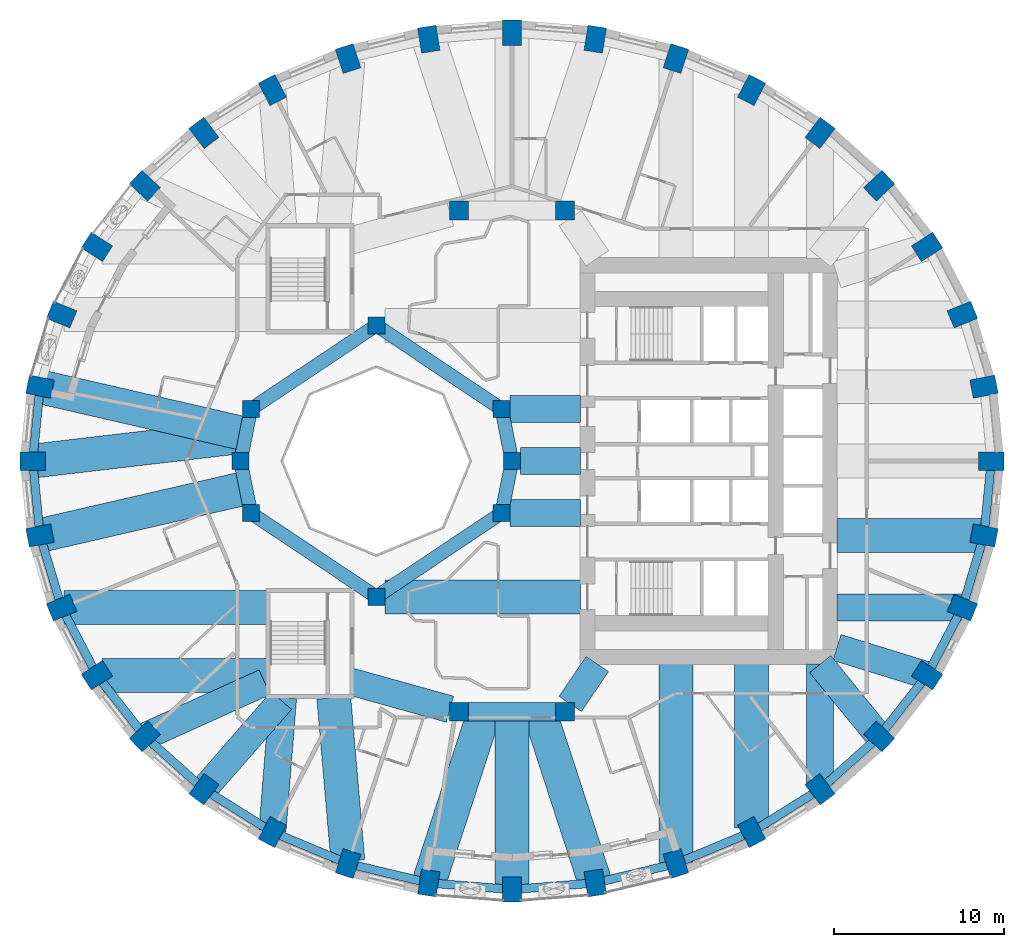
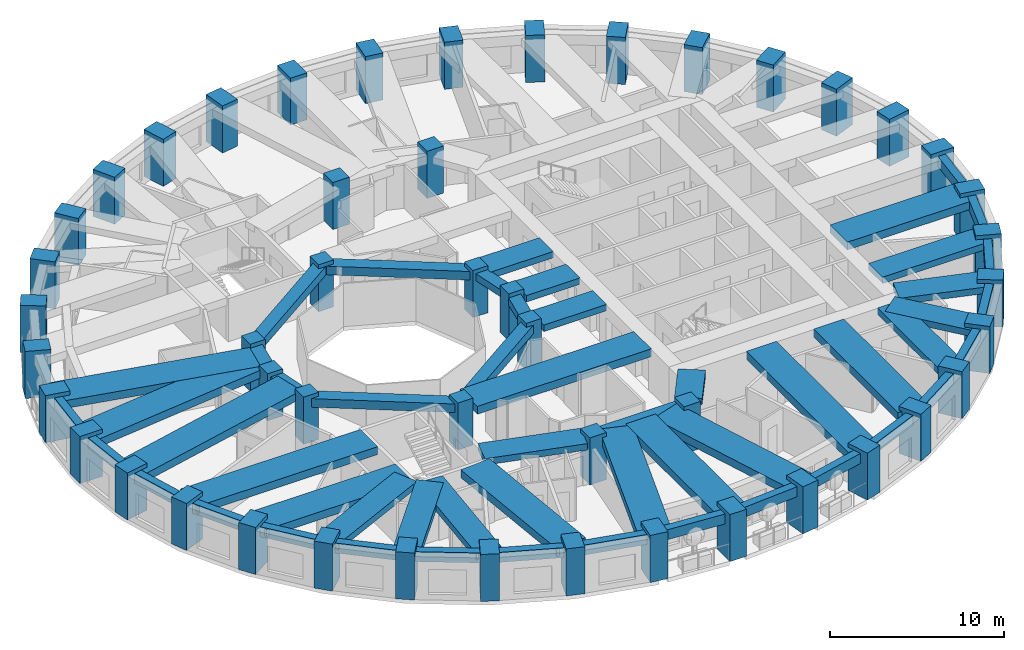
# One storey, part 1 of 13: 53 beams, 48 columns.
"""IFC4 building model written with IfcOpenShell, lengths in metres."""

import ifcopenshell
import ifcopenshell.guid

model = None  # the IFC model being written
_history = None  # IfcOwnerHistory: only IFC2X3 demands one
_inside = {}  # id of a spatial element -> (the spatial element, [elements in it])
_under = {}  # id of a project, library or spatial element -> (it, [spatial elements below it])
_declared = {}  # id of a project -> (the project, [libraries it declares])
_typed = {}  # id of a type object -> (the type object, [elements of that type])
_made_of = {}  # id of a material, layer set ... -> (it, [elements and type objects made of it])


def new_model(schema):
    """Start an empty IFC model of exactly this schema.

    Asked for "IFC4X3", IfcOpenShell would pick the latest addendum, in which some entities
    have other attributes; the version numbers below select the first issue.
    IFC2X3 requires an IfcOwnerHistory on every rooted entity: one is made here for all.
    """
    global model, _history
    if schema == "IFC4X3":
        model = ifcopenshell.file(schema_version=(4, 3, 0, 0))
    else:
        model = ifcopenshell.file(schema=schema)
    _inside.clear()
    _under.clear()
    _declared.clear()
    _typed.clear()
    _made_of.clear()
    _history = None
    if model.schema == "IFC2X3":
        org = make("IfcOrganization", Name="unknown")
        user = make(
            "IfcPersonAndOrganization",
            ThePerson=make("IfcPerson", FamilyName="unknown"),
            TheOrganization=org,
        )
        app = make(
            "IfcApplication",
            ApplicationDeveloper=org,
            Version="unknown",
            ApplicationFullName="unknown",
            ApplicationIdentifier="unknown",
        )
        _history = make(
            "IfcOwnerHistory",
            OwningUser=user,
            OwningApplication=app,
            ChangeAction="ADDED",
            CreationDate=0,
        )
    return model


def make(cls, **values):
    """One entity of the class cls with the attributes given. An attribute that is None is left unset."""
    return model.create_entity(
        cls, **{name: value for name, value in values.items() if value is not None}
    )


def rooted(cls, **values):
    """An entity with a GlobalId (a new one), such as an element, a storey or a relation."""
    return make(cls, GlobalId=ifcopenshell.guid.new(), OwnerHistory=_history, **values)


def si_unit(unit_type, name, prefix=None):
    """IfcSIUnit, for example si_unit("LENGTHUNIT", "METRE", prefix="MILLI")."""
    return make("IfcSIUnit", UnitType=unit_type, Prefix=prefix, Name=name)


def assignment(units):
    """IfcUnitAssignment: the units of a project."""
    return None if units is None else make("IfcUnitAssignment", Units=units)


def point(xyz):
    """IfcCartesianPoint."""
    return None if xyz is None else make("IfcCartesianPoint", Coordinates=xyz)


def direction(xyz):
    """IfcDirection."""
    return None if xyz is None else make("IfcDirection", DirectionRatios=xyz)


def frame(location, z_axis=None, x_axis=None):
    """IfcAxis2Placement3D, a coordinate frame: its origin and axes. An axis left out is left unset."""
    return make(
        "IfcAxis2Placement3D",
        Location=point(location),
        Axis=direction(z_axis),
        RefDirection=direction(x_axis),
    )


def frame_2d(location, x_axis=None):
    """IfcAxis2Placement2D, a coordinate frame in the plane: its origin and x axis."""
    return make(
        "IfcAxis2Placement2D", Location=point(location), RefDirection=direction(x_axis)
    )


def origin():
    """The frame at (0, 0, 0) with its axes left unset."""
    return frame((0.0, 0.0, 0.0))


def origin_2d():
    """The frame at (0, 0) in the plane with its x axis left unset."""
    return frame_2d((0.0, 0.0))


def place(relative_to, where):
    """IfcLocalPlacement: puts the frame where relative to a parent placement (None: the world)."""
    return make(
        "IfcLocalPlacement", PlacementRelTo=relative_to, RelativePlacement=where
    )


def context(
    kind, dimensions, precision=None, world=None, true_north=None, identifier=None
):
    """IfcGeometricRepresentationContext, for example the 3D "Model" context."""
    return make(
        "IfcGeometricRepresentationContext",
        ContextIdentifier=identifier,
        ContextType=kind,
        CoordinateSpaceDimension=dimensions,
        Precision=precision,
        WorldCoordinateSystem=world,
        TrueNorth=true_north,
    )


def subcontext(parent, identifier, kind, view, scale=None):
    """IfcGeometricRepresentationSubContext, for example "Body" below "Model"."""
    return make(
        "IfcGeometricRepresentationSubContext",
        ContextIdentifier=identifier,
        ContextType=kind,
        ParentContext=parent,
        TargetScale=scale,
        TargetView=view,
    )


def project(units=None, contexts=None):
    """IfcProject with its units and contexts."""
    return rooted(
        "IfcProject",
        Name="project",
        RepresentationContexts=contexts,
        UnitsInContext=assignment(units),
    )


def spatial(cls, under=None, at=None, **own):
    """A site, building, storey or space (cls), placed at a placement, below another one or the project."""
    s = rooted(cls, ObjectPlacement=at, **own)
    if under is not None:
        _under.setdefault(under.id(), (under, []))[1].append(s)
    return s


def profile(cls, at=None, kind="AREA", **sizes):
    """A parametric profile (cls). Its sizes go by their IFC names, for example OverallWidth=200.0."""
    return make(cls, ProfileType=kind, Position=at, **sizes)


def rectangle(**sizes):
    """IfcRectangleProfileDef."""
    return profile("IfcRectangleProfileDef", **sizes)


def extrude(swept, where, along, depth):
    """IfcExtrudedAreaSolid: the profile swept, set in the frame where, extruded along a direction by depth."""
    return make(
        "IfcExtrudedAreaSolid",
        SweptArea=swept,
        Position=where,
        ExtrudedDirection=direction(along),
        Depth=depth,
    )


def shape(context_of_items, identifier, shape_type, items):
    """IfcShapeRepresentation: the items that make up one representation, for example the "Body"."""
    return make(
        "IfcShapeRepresentation",
        ContextOfItems=context_of_items,
        RepresentationIdentifier=identifier,
        RepresentationType=shape_type,
        Items=items,
    )


def material(Name=None, Category=None):
    """IfcMaterial."""
    return make("IfcMaterial", Name=Name, Category=Category)


def material_profile(
    of_material, cross_section, Name=None, Category=None, Priority=None
):
    """IfcMaterialProfile: a cross section and its material."""
    return make(
        "IfcMaterialProfile",
        Name=Name,
        Material=of_material,
        Profile=cross_section,
        Priority=Priority,
        Category=Category,
    )


def profile_set(profiles, Name=None, composite=None):
    """IfcMaterialProfileSet."""
    return make(
        "IfcMaterialProfileSet",
        Name=Name,
        MaterialProfiles=profiles,
        CompositeProfile=composite,
    )


def made_of(thing, what):
    """Note that an element or type object is made of a material, layer set ...; save() writes the relation."""
    if what is not None:
        _made_of.setdefault(what.id(), (what, []))[1].append(thing)
    return thing


def type_object(cls, material=None, **own):
    """A type object (cls), such as IfcWallType, which elements share."""
    return made_of(rooted(cls, **own), material)


def element(
    cls,
    number,
    at=None,
    inside=None,
    cuts=None,
    type_object=None,
    material=None,
    context=None,
    identifier="Body",
    shape_type=None,
    held_by="IfcProductDefinitionShape",
    body=None,
    shapes=None,
    **own,
):
    """One element of the class cls, such as IfcWall. Its Tag is "e" and its number.

    at: its placement. inside: the storey or other place that contains it. cuts: it is an
    opening in that element (IfcRelVoidsElement). A single representation is given by context,
    identifier, shape_type and body (its items); several are given by shapes. held_by: the class
    of the entity that holds the representations. save() writes the other relations.
    """
    e = rooted(cls, Tag="e%d" % number, ObjectPlacement=at, **own)
    if body is not None:
        shapes = [shape(context, identifier, shape_type, body)]
    if shapes is not None:
        e.Representation = make(held_by, Representations=shapes)
    if inside is not None:
        _inside.setdefault(inside.id(), (inside, []))[1].append(e)
    if cuts is not None:
        rooted(
            "IfcRelVoidsElement", RelatingBuildingElement=cuts, RelatedOpeningElement=e
        )
    if type_object is not None:
        _typed.setdefault(type_object.id(), (type_object, []))[1].append(e)
    return made_of(e, material)


def aggregate(whole, parts):
    """IfcRelAggregates: a whole, such as a stair, and the parts it consists of."""
    return rooted("IfcRelAggregates", RelatingObject=whole, RelatedObjects=parts)


def save(model, path):
    """Write the relations noted so far, then the file.

    IfcRelAggregates (storeys below a building ...), IfcRelContainedInSpatialStructure (elements
    in a storey), IfcRelDefinesByType, IfcRelAssociatesMaterial and IfcRelDeclares: one each for
    every whole, place, type object, material and project.
    """
    for whole, parts in _under.values():
        aggregate(whole, parts)
    for where, things in _inside.values():
        rooted(
            "IfcRelContainedInSpatialStructure",
            RelatedElements=things,
            RelatingStructure=where,
        )
    for kind, things in _typed.values():
        rooted("IfcRelDefinesByType", RelatedObjects=things, RelatingType=kind)
    for what, things in _made_of.values():
        rooted("IfcRelAssociatesMaterial", RelatedObjects=things, RelatingMaterial=what)
    for by, libraries in _declared.values():
        rooted("IfcRelDeclares", RelatingContext=by, RelatedDefinitions=libraries)
    model.write(path)


model = new_model("IFC4")

# Units and contexts
model_context = context("Model", 3, precision=1e-05, world=origin(), true_north=direction((0.0, 1.0)))
body_context = subcontext(model_context, "Body", "Model", "MODEL_VIEW")
ifc_project = project(units=[si_unit("LENGTHUNIT", "METRE"), si_unit("AREAUNIT", "SQUARE_METRE"), si_unit("VOLUMEUNIT", "CUBIC_METRE"), si_unit("PLANEANGLEUNIT", "RADIAN"), si_unit("MASSUNIT", "GRAM", prefix="KILO")], contexts=[model_context])

# Site, building, storey
site_placement = place(None, origin())
site = spatial("IfcSite", under=ifc_project, at=site_placement, CompositionType="ELEMENT")
building_placement = place(site_placement, origin())
building = spatial("IfcBuilding", under=site, at=building_placement, Name="Taillehof Tower", CompositionType="ELEMENT")
storey_placement = place(building_placement, frame((0.0, 0.0, 71.199951171875)))
storey = spatial("IfcBuildingStorey", under=building, at=storey_placement, Name="L19", CompositionType="ELEMENT", Elevation=71.199951171875)

# Columns
ifc_material_1 = material(Name="Concrete C50/60", Category="concrete")
ifc_material_profile_1 = material_profile(ifc_material_1, rectangle(XDim=1.0, YDim=1.0, at=origin_2d()), Name="RC 1000x1000")
ifc_profile_set_1 = profile_set([ifc_material_profile_1], Name="Concrete C50/60")
column_type_1 = type_object("IfcColumnType", Name="Atrium ring column C50/60 1000x1000", PredefinedType="COLUMN", material=ifc_profile_set_1)
for number, where, z_axis, x_axis, name in (
    (1, (0.0, 0.0, 0.0), (0.0, 0.0, 1.0), (1.0, 0.0, 0.0), "Column AC01"),
    (2, (-0.60888671875, 3.0615234375, 0.0), (0.0, 0.0, 1.0), (1.0, 0.0, 0.0), "Column AC02"),
    (3, (-8.0, 8.0, 0.0), (0.0, 0.0, 1.0), (1.0, 0.0, 0.0), "Column AC05"),
    (4, (-15.39111328125, 3.0615234375, 0.0), (0.0, 0.0, 1.0), (1.0, 0.0, 0.0), "Column AC08"),
    (5, (-16.0, 0.0, 0.0), (0.0, 0.0, 1.0), (1.0, 0.0, 0.0), "Column AC09"),
    (6, (-15.39111328125, -3.0615234375, 0.0), (0.0, 0.0, 1.0), (1.0, 0.0, 0.0), "Column AC10"),
    (7, (-8.0, -8.0, 0.0), (0.0, 0.0, 1.0), (1.0, 0.0, 0.0), "Column AC13"),
    (8, (-0.60888671875, -3.0615234375, 0.0), (0.0, 0.0, 1.0), (1.0, 0.0, 0.0), "Column AC16"),
):
    element("IfcColumn", number, at=place(storey_placement, frame(where, z_axis=z_axis, x_axis=x_axis)), inside=storey, type_object=column_type_1, Name=name, PredefinedType="COLUMN", context=body_context, shape_type="SweptSolid", body=[
        extrude(rectangle(XDim=1.0, YDim=1.0, at=origin_2d()), origin(), (0.0, 0.0, 1.0), 3.300048828125),
    ])
ifc_material_2 = material(Name="Concrete C50/60", Category="concrete")
ifc_material_profile_2 = material_profile(ifc_material_2, rectangle(XDim=1.10009765625, YDim=1.10009765625, at=origin_2d()), Name="RC 1100x1100")
ifc_profile_set_2 = profile_set([ifc_material_profile_2], Name="Concrete C50/60")
column_type_2 = type_object("IfcColumnType", Name="Mid-ring column C50/60 1100x1100", PredefinedType="COLUMN", material=ifc_profile_set_2)
for number, where, z_axis, x_axis, name in (
    (9, (3.125732421875, 14.772216796875, 0.0), (0.0, 0.0, 1.0), (1.0, 0.0, 0.0), "Column MC05"),
    (10, (3.125732421875, -14.772216796875, 0.0), (0.0, 0.0, 1.0), (1.0, 0.0, 0.0), "Column MC15"),
):
    element("IfcColumn", number, at=place(storey_placement, frame(where, z_axis=z_axis, x_axis=x_axis)), inside=storey, type_object=column_type_2, Name=name, PredefinedType="COLUMN", context=body_context, shape_type="SweptSolid", body=[
        extrude(rectangle(XDim=1.10009765625, YDim=1.10009765625, at=origin_2d()), origin(), (0.0, 0.0, 1.0), 3.300048828125),
    ])
ifc_material_3 = material(Name="Concrete C60/75", Category="concrete")
ifc_material_profile_3 = material_profile(ifc_material_3, rectangle(XDim=1.10009765625, YDim=1.10009765625, at=origin_2d()), Name="RC 1100x1100")
ifc_profile_set_3 = profile_set([ifc_material_profile_3], Name="Concrete C60/75")
column_type_3 = type_object("IfcColumnType", Name="Mid-ring column C60/75 1100x1100", PredefinedType="COLUMN", material=ifc_profile_set_3)
for number, where, z_axis, x_axis, name in (
    (11, (-3.125732421875, 14.772216796875, 0.0), (0.0, 0.0, 1.0), (1.0, 0.0, 0.0), "Column MC06"),
    (12, (-3.125732421875, -14.772216796875, 0.0), (0.0, 0.0, 1.0), (1.0, 0.0, 0.0), "Column MC14"),
):
    element("IfcColumn", number, at=place(storey_placement, frame(where, z_axis=z_axis, x_axis=x_axis)), inside=storey, type_object=column_type_3, Name=name, PredefinedType="COLUMN", context=body_context, shape_type="SweptSolid", body=[
        extrude(rectangle(XDim=1.10009765625, YDim=1.10009765625, at=origin_2d()), origin(), (0.0, 0.0, 1.0), 3.300048828125),
    ])
ifc_material_4 = material(Name="Concrete C70/85", Category="concrete")
ifc_material_profile_4 = material_profile(ifc_material_4, rectangle(XDim=1.5, YDim=1.10009765625, at=origin_2d()), Name="RC 1500x1100")
ifc_profile_set_4 = profile_set([ifc_material_profile_4], Name="Concrete C70/85")
column_type_4 = type_object("IfcColumnType", Name="Ring column C70/85 1500x1100", PredefinedType="COLUMN", material=ifc_profile_set_4)
for number, where, z_axis, x_axis, name in (
    (13, (28.25, 0.0, 0.0), (0.0, 0.0, 1.0), (1.0, 0.0, 0.0), "Ring column RC01"),
    (14, (27.82080078125, 4.384521484375, 0.0), (0.0, 0.0, 1.0), (0.98120354895, 0.192975634545, 0.0), "Ring column RC02"),
    (15, (26.54638671875, 8.635986328125, 0.0), (0.0, 0.0, 1.0), (0.926558045297, 0.37615181602, 0.0), "Ring column RC03"),
    (16, (24.46533203125, 12.625, 0.0), (0.0, 0.0, 1.0), (0.840753565229, 0.541417992456, 0.0), "Ring column RC04"),
    (17, (21.640869140625, 16.23046875, 0.0), (0.0, 0.0, 1.0), (0.730113022917, 0.683326403535, 0.0), "Ring column RC05"),
    (18, (18.15869140625, 19.342529296875, 0.0), (0.0, 0.0, 1.0), (0.601173783055, 0.79911831575, 0.0), "Ring column RC06"),
    (19, (14.125, 21.8671875, 0.0), (0.0, 0.0, 1.0), (0.459691308511, 0.888078769524, 0.0), "Ring column RC07"),
    (20, (9.662109375, 23.727294921875, 0.0), (0.0, 0.0, 1.0), (0.310219183529, 0.950665060981, 0.0), "Ring column RC08"),
    (21, (4.905517578125, 24.866455078125, 0.0), (0.0, 0.0, 1.0), (0.15614709407, 0.987733812833, 0.0), "Ring column RC09"),
    (22, (0.0, 25.25, 0.0), (0.0, 0.0, 1.0), (0.0, 1.0, 0.0), "Ring column RC10"),
    (23, (-4.905517578125, 24.866455078125, 0.0), (0.0, 0.0, 1.0), (-0.15614709407, 0.987733812833, 0.0), "Ring column RC11"),
    (24, (-9.662109375, 23.727294921875, 0.0), (0.0, 0.0, 1.0), (-0.310219183529, 0.950665060981, 0.0), "Ring column RC12"),
    (25, (-14.125, 21.8671875, 0.0), (0.0, 0.0, 1.0), (-0.459691308511, 0.888078769524, 0.0), "Ring column RC13"),
    (26, (-18.15869140625, 19.342529296875, 0.0), (0.0, 0.0, 1.0), (-0.601173783055, 0.79911831575, 0.0), "Ring column RC14"),
    (27, (-21.640869140625, 16.23046875, 0.0), (0.0, 0.0, 1.0), (-0.730113022917, 0.683326403535, 0.0), "Ring column RC15"),
    (28, (-24.46533203125, 12.625, 0.0), (0.0, 0.0, 1.0), (-0.840753565229, 0.541417992456, 0.0), "Ring column RC16"),
    (29, (-26.54638671875, 8.635986328125, 0.0), (0.0, 0.0, 1.0), (-0.926558045297, 0.37615181602, 0.0), "Ring column RC17"),
    (30, (-27.82080078125, 4.384521484375, 0.0), (0.0, 0.0, 1.0), (-0.98120354895, 0.192975634545, 0.0), "Ring column RC18"),
    (31, (-28.25, 0.0, 0.0), (0.0, 0.0, 1.0), (-1.0, 0.0, 0.0), "Ring column RC19"),
    (32, (-27.82080078125, -4.384521484375, 0.0), (0.0, 0.0, 1.0), (-0.98120354895, -0.192975634545, 0.0), "Ring column RC20"),
    (33, (-26.54638671875, -8.635986328125, 0.0), (0.0, 0.0, 1.0), (-0.926558045297, -0.37615181602, 0.0), "Ring column RC21"),
    (34, (-24.46533203125, -12.625, 0.0), (0.0, 0.0, 1.0), (-0.840753565229, -0.541417992456, 0.0), "Ring column RC22"),
    (35, (-21.640869140625, -16.23046875, 0.0), (0.0, 0.0, 1.0), (-0.730113022917, -0.683326403535, 0.0), "Ring column RC23"),
    (36, (-18.15869140625, -19.342529296875, 0.0), (0.0, 0.0, 1.0), (-0.601173783055, -0.79911831575, 0.0), "Ring column RC24"),
    (37, (-14.125, -21.8671875, 0.0), (0.0, 0.0, 1.0), (-0.459691308511, -0.888078769524, 0.0), "Ring column RC25"),
    (38, (-9.662109375, -23.727294921875, 0.0), (0.0, 0.0, 1.0), (-0.310219183529, -0.950665060981, 0.0), "Ring column RC26"),
    (39, (-4.905517578125, -24.866455078125, 0.0), (0.0, 0.0, 1.0), (-0.15614709407, -0.987733812833, 0.0), "Ring column RC27"),
    (40, (0.0, -25.25, 0.0), (0.0, 0.0, 1.0), (0.0, -1.0, 0.0), "Ring column RC28"),
    (41, (4.905517578125, -24.866455078125, 0.0), (0.0, 0.0, 1.0), (0.15614709407, -0.987733812833, 0.0), "Ring column RC29"),
    (42, (9.662109375, -23.727294921875, 0.0), (0.0, 0.0, 1.0), (0.310219183529, -0.950665060981, 0.0), "Ring column RC30"),
    (43, (14.125, -21.8671875, 0.0), (0.0, 0.0, 1.0), (0.459691308511, -0.888078769524, 0.0), "Ring column RC31"),
    (44, (18.15869140625, -19.342529296875, 0.0), (0.0, 0.0, 1.0), (0.601173783055, -0.79911831575, 0.0), "Ring column RC32"),
    (45, (21.640869140625, -16.23046875, 0.0), (0.0, 0.0, 1.0), (0.730113022917, -0.683326403535, 0.0), "Ring column RC33"),
    (46, (24.46533203125, -12.625, 0.0), (0.0, 0.0, 1.0), (0.840753565229, -0.541417992456, 0.0), "Ring column RC34"),
    (47, (26.54638671875, -8.635986328125, 0.0), (0.0, 0.0, 1.0), (0.926558045297, -0.37615181602, 0.0), "Ring column RC35"),
    (48, (27.82080078125, -4.384521484375, 0.0), (0.0, 0.0, 1.0), (0.98120354895, -0.192975634545, 0.0), "Ring column RC36"),
):
    element("IfcColumn", number, at=place(storey_placement, frame(where, z_axis=z_axis, x_axis=x_axis)), inside=storey, type_object=column_type_4, Name=name, PredefinedType="COLUMN", context=body_context, shape_type="SweptSolid", body=[
        extrude(rectangle(XDim=1.5, YDim=1.10009765625, at=origin_2d()), origin(), (0.0, 0.0, 1.0), 3.300048828125),
    ])

# Beams
ifc_material_5 = material(Name="Concrete C50/60", Category="concrete")
ifc_material_profile_5 = material_profile(ifc_material_5, rectangle(XDim=0.800048828125, YDim=0.5, at=origin_2d()), Name="RC 800x500")
ifc_profile_set_5 = profile_set([ifc_material_profile_5], Name="Concrete C50/60")
beam_type_1 = type_object("IfcBeamType", Name="Atrium ring beam C50/60 800x500", PredefinedType="BEAM", material=ifc_profile_set_5)
for number, where, z_axis, x_axis, name in (
    (49, (0.0, 0.0, 2.77001953125), (-0.195063155143, 0.980790683839, 0.0), (-0.980790683839, -0.195063155143, 0.0), "Atrium ring beam AB01"),
    (50, (-15.39111328125, 3.0615234375, 2.77001953125), (-0.195063155143, -0.980790683839, 0.0), (0.980790683839, -0.195063155143, 0.0), "Atrium ring beam AB04"),
    (51, (-16.0, 0.0, 2.77001953125), (0.195063155143, -0.980790683839, 0.0), (0.980790683839, 0.195063155143, 0.0), "Atrium ring beam AB05"),
    (52, (-0.60888671875, -3.0615234375, 2.77001953125), (0.195063155143, 0.980790683839, 0.0), (-0.980790683839, 0.195063155143, 0.0), "Atrium ring beam AB08"),
):
    element("IfcBeam", number, at=place(storey_placement, frame(where, z_axis=z_axis, x_axis=x_axis)), inside=storey, type_object=beam_type_1, Name=name, PredefinedType="BEAM", context=body_context, shape_type="SweptSolid", body=[
        extrude(rectangle(XDim=0.800048828125, YDim=0.5, at=origin_2d()), origin(), (0.0, 0.0, 1.0), 3.12158203125),
    ])
ifc_material_6 = material(Name="Concrete C50/60", Category="concrete")
ifc_material_profile_6 = material_profile(ifc_material_6, rectangle(XDim=0.800048828125, YDim=0.60009765625, at=origin_2d()), Name="RC 800x600")
ifc_profile_set_6 = profile_set([ifc_material_profile_6], Name="Concrete C50/60")
beam_type_2 = type_object("IfcBeamType", Name="Atrium ring beam C50/60 800x600", PredefinedType="BEAM", material=ifc_profile_set_6)
for number, where, z_axis, x_axis, name in (
    (53, (-0.60888671875, 3.0615234375, 2.719970703125), (-0.831475195687, 0.555561876804, 0.0), (-0.555561876804, -0.831475195687, 0.0), "Atrium ring beam AB02"),
    (54, (-8.0, 8.0, 2.719970703125), (-0.831475195687, -0.555561876804, 0.0), (0.555561876804, -0.831475195687, 0.0), "Atrium ring beam AB03"),
    (55, (-15.39111328125, -3.0615234375, 2.719970703125), (0.831475195687, -0.555561876804, 0.0), (0.555561876804, 0.831475195687, 0.0), "Atrium ring beam AB06"),
    (56, (-8.0, -8.0, 2.719970703125), (0.831475195687, 0.555561876804, 0.0), (-0.555561876804, 0.831475195687, 0.0), "Atrium ring beam AB07"),
):
    element("IfcBeam", number, at=place(storey_placement, frame(where, z_axis=z_axis, x_axis=x_axis)), inside=storey, type_object=beam_type_2, Name=name, PredefinedType="BEAM", context=body_context, shape_type="SweptSolid", body=[
        extrude(rectangle(XDim=0.800048828125, YDim=0.60009765625, at=origin_2d()), origin(), (0.0, 0.0, 1.0), 8.88916015625),
    ])
ifc_material_7 = material(Name="Concrete C50/60", Category="concrete")
ifc_material_profile_7 = material_profile(ifc_material_7, rectangle(XDim=1.10009765625, YDim=0.60009765625, at=origin_2d()), Name="RC 1100x600")
ifc_profile_set_7 = profile_set([ifc_material_profile_7], Name="Concrete C50/60")
beam_type_3 = type_object("IfcBeamType", Name="Mid-ring beam C50/60 1100x600", PredefinedType="BEAM", material=ifc_profile_set_7)
beam_1_placement = place(storey_placement, frame((-3.125732421875, -14.772216796875, 2.719970703125), z_axis=(1.0, 0.0, 0.0), x_axis=(0.0, 1.0, 0.0)))
element("IfcBeam", 57, at=beam_1_placement, inside=storey, type_object=beam_type_3, Name="Mid-ring beam MB02", PredefinedType="BEAM", context=body_context, shape_type="SweptSolid", body=[
    extrude(rectangle(XDim=1.10009765625, YDim=0.60009765625, at=origin_2d()), origin(), (0.0, 0.0, 1.0), 6.25146484375),
])
ifc_material_8 = material(Name="Concrete C50/60", Category="concrete")
ifc_material_profile_8 = material_profile(ifc_material_8, rectangle(XDim=1.60009765625, YDim=0.449951171875, at=origin_2d()), Name="RC 1600x450")
ifc_profile_set_8 = profile_set([ifc_material_profile_8], Name="Concrete C50/60")
beam_type_4 = type_object("IfcBeamType", Name="Radial band beam C50/60 1600x450", PredefinedType="BEAM", material=ifc_profile_set_8)
beam_2_placement = place(storey_placement, frame((-21.632568359375, -16.226806640625, 2.795166015625), z_axis=(0.911100590789, 0.412184077161, 0.0), x_axis=(-0.412184077161, 0.911100590789, 0.0)))
element("IfcBeam", 58, at=beam_2_placement, inside=storey, type_object=beam_type_4, Name="Radial band beam RB23", PredefinedType="BEAM", context=body_context, shape_type="SweptSolid", body=[
    extrude(rectangle(XDim=1.60009765625, YDim=0.449951171875, at=origin_2d()), origin(), (0.0, 0.0, 1.0), 7.740966796875),
])
beam_3_placement = place(storey_placement, frame((-18.15869140625, -19.342529296875, 2.795166015625), z_axis=(0.65721824087, 0.753700327628, 0.0), x_axis=(-0.753700327628, 0.65721824087, 0.0)))
element("IfcBeam", 59, at=beam_3_placement, inside=storey, type_object=beam_type_4, Name="Radial band beam RB24", PredefinedType="BEAM", context=body_context, shape_type="SweptSolid", body=[
    extrude(rectangle(XDim=1.60009765625, YDim=0.449951171875, at=origin_2d()), origin(), (0.0, 0.0, 1.0), 6.9384765625),
])
beam_4_placement = place(storey_placement, frame((-14.119873046875, -21.802978515625, 2.795166015625), z_axis=(0.079184740988, 0.996859958467, 0.0), x_axis=(-0.996859958467, 0.079184740988, 0.0)))
element("IfcBeam", 60, at=beam_4_placement, inside=storey, type_object=beam_type_4, Name="Radial band beam RB25", PredefinedType="BEAM", context=body_context, shape_type="SweptSolid", body=[
    extrude(rectangle(XDim=1.60009765625, YDim=0.449951171875, at=origin_2d()), origin(), (0.0, 0.0, 1.0), 7.87744140625),
])
beam_5_placement = place(storey_placement, frame((18.15869140625, -19.05517578125, 2.795166015625), z_axis=(0.0, 1.0, 0.0), x_axis=(-1.0, 0.0, 0.0)))
element("IfcBeam", 61, at=beam_5_placement, inside=storey, type_object=beam_type_4, Name="Radial band beam RB32", PredefinedType="BEAM", context=body_context, shape_type="SweptSolid", body=[
    extrude(rectangle(XDim=1.60009765625, YDim=0.449951171875, at=origin_2d()), origin(), (0.0, 0.0, 1.0), 7.105224609375),
])
beam_6_placement = place(storey_placement, frame((21.640869140625, -16.23046875, 2.795166015625), z_axis=(-0.630988373846, 0.775792286679, 0.0), x_axis=(-0.775792286679, -0.630988373846, 0.0)))
element("IfcBeam", 62, at=beam_6_placement, inside=storey, type_object=beam_type_4, Name="Radial band beam RB33", PredefinedType="BEAM", context=body_context, shape_type="SweptSolid", body=[
    extrude(rectangle(XDim=1.60009765625, YDim=0.449951171875, at=origin_2d()), origin(), (0.0, 0.0, 1.0), 5.503173828125),
])
beam_7_placement = place(storey_placement, frame((24.46533203125, -12.625, 2.795166015625), z_axis=(-0.955535654338, 0.294875589511, 0.0), x_axis=(-0.294875589511, -0.955535654338, 0.0)))
element("IfcBeam", 63, at=beam_7_placement, inside=storey, type_object=beam_type_4, Name="Radial band beam RB34", PredefinedType="BEAM", context=body_context, shape_type="SweptSolid", body=[
    extrude(rectangle(XDim=1.60009765625, YDim=0.449951171875, at=origin_2d()), origin(), (0.0, 0.0, 1.0), 5.560546875),
])
beam_8_placement = place(storey_placement, frame((26.490478515625, -8.635986328125, 2.795166015625), z_axis=(-1.0, 0.0, 0.0), x_axis=(0.0, -1.0, 0.0)))
element("IfcBeam", 64, at=beam_8_placement, inside=storey, type_object=beam_type_4, Name="Radial band beam RB35", PredefinedType="BEAM", context=body_context, shape_type="SweptSolid", body=[
    extrude(rectangle(XDim=1.60009765625, YDim=0.449951171875, at=origin_2d()), origin(), (0.0, 0.0, 1.0), 7.340576171875),
])
beam_9_placement = place(storey_placement, frame((0.5, 0.0, 2.795166015625), z_axis=(1.0, 0.0, 0.0), x_axis=(0.0, 1.0, 0.0)))
element("IfcBeam", 65, at=beam_9_placement, inside=storey, type_object=beam_type_4, Name="Inner band beam IB101", PredefinedType="BEAM", context=body_context, shape_type="SweptSolid", body=[
    extrude(rectangle(XDim=1.60009765625, YDim=0.449951171875, at=origin_2d()), origin(), (0.0, 0.0, 1.0), 3.550048828125),
])
for number, where, z_axis, x_axis, name in (
    (66, (-0.10888671875, 3.0615234375, 2.795166015625), (1.0, 0.0, 0.0), (0.0, 1.0, 0.0), "Inner band beam IB102"),
    (67, (-0.10888671875, -3.0615234375, 2.795166015625), (1.0, 0.0, 0.0), (0.0, 1.0, 0.0), "Inner band beam IB116"),
):
    element("IfcBeam", number, at=place(storey_placement, frame(where, z_axis=z_axis, x_axis=x_axis)), inside=storey, type_object=beam_type_4, Name=name, PredefinedType="BEAM", context=body_context, shape_type="SweptSolid", body=[
        extrude(rectangle(XDim=1.60009765625, YDim=0.449951171875, at=origin_2d()), origin(), (0.0, 0.0, 1.0), 4.158935546875),
    ])
beam_10_placement = place(storey_placement, frame((-3.655517578125, -14.624755859375, 2.795166015625), z_axis=(-0.963459369536, 0.267854518821, 0.0), x_axis=(-0.267854518821, -0.963459369536, 0.0)))
element("IfcBeam", 68, at=beam_10_placement, inside=storey, type_object=beam_type_4, Name="Inner band beam IB214", PredefinedType="BEAM", context=body_context, shape_type="SweptSolid", body=[
    extrude(rectangle(XDim=1.60009765625, YDim=0.449951171875, at=origin_2d()), origin(), (0.0, 0.0, 1.0), 6.096923828125),
])
beam_11_placement = place(storey_placement, frame((3.433837890625, -14.31640625, 2.795166015625), z_axis=(0.560112043398, 0.828416862962, 0.0), x_axis=(-0.828416862962, 0.560112043398, 0.0)))
element("IfcBeam", 69, at=beam_11_placement, inside=storey, type_object=beam_type_4, Name="Inner band beam IB215", PredefinedType="BEAM", context=body_context, shape_type="SweptSolid", body=[
    extrude(rectangle(XDim=1.60009765625, YDim=0.449951171875, at=origin_2d()), origin(), (0.0, 0.0, 1.0), 2.84619140625),
])
ifc_material_9 = material(Name="Concrete C50/60", Category="concrete")
ifc_material_profile_9 = material_profile(ifc_material_9, rectangle(XDim=2.0, YDim=0.550048828125, at=origin_2d()), Name="RC 2000x550")
ifc_profile_set_9 = profile_set([ifc_material_profile_9], Name="Concrete C50/60")
beam_type_5 = type_object("IfcBeamType", Name="Radial band beam C50/60 2000x550", PredefinedType="BEAM", material=ifc_profile_set_9)
beam_12_placement = place(storey_placement, frame((-27.82080078125, 4.384521484375, 2.7451171875), z_axis=(0.974509005862, -0.2243483842, 0.0), x_axis=(0.2243483842, 0.974509005862, 0.0)))
element("IfcBeam", 70, at=beam_12_placement, inside=storey, type_object=beam_type_5, Name="Radial band beam RB18", PredefinedType="BEAM", context=body_context, shape_type="SweptSolid", body=[
    extrude(rectangle(XDim=2.0, YDim=0.550048828125, at=origin_2d()), origin(), (0.0, 0.0, 1.0), 12.45458984375),
])
beam_13_placement = place(storey_placement, frame((-28.25, 0.0, 2.7451171875), z_axis=(0.993191188018, 0.11649576835, 0.0), x_axis=(-0.11649576835, 0.993191188018, 0.0)))
element("IfcBeam", 71, at=beam_13_placement, inside=storey, type_object=beam_type_5, Name="Radial band beam RB19", PredefinedType="BEAM", context=body_context, shape_type="SweptSolid", body=[
    extrude(rectangle(XDim=2.0, YDim=0.550048828125, at=origin_2d()), origin(), (0.0, 0.0, 1.0), 12.628662109375),
])
beam_14_placement = place(storey_placement, frame((-27.82080078125, -4.384521484375, 2.7451171875), z_axis=(0.974509005862, 0.2243483842, 0.0), x_axis=(-0.2243483842, 0.974509005862, 0.0)))
element("IfcBeam", 72, at=beam_14_placement, inside=storey, type_object=beam_type_5, Name="Radial band beam RB20", PredefinedType="BEAM", context=body_context, shape_type="SweptSolid", body=[
    extrude(rectangle(XDim=2.0, YDim=0.550048828125, at=origin_2d()), origin(), (0.0, 0.0, 1.0), 12.45458984375),
])
beam_15_placement = place(storey_placement, frame((-26.408935546875, -8.635986328125, 2.7451171875), z_axis=(1.0, 0.0, 0.0), x_axis=(0.0, 1.0, 0.0)))
element("IfcBeam", 73, at=beam_15_placement, inside=storey, type_object=beam_type_5, Name="Radial band beam RB21", PredefinedType="BEAM", context=body_context, shape_type="SweptSolid", body=[
    extrude(rectangle(XDim=2.0, YDim=0.550048828125, at=origin_2d()), origin(), (0.0, 0.0, 1.0), 11.958984375),
])
beam_16_placement = place(storey_placement, frame((-24.172607421875, -12.625, 2.7451171875), z_axis=(1.0, 0.0, 0.0), x_axis=(0.0, 1.0, 0.0)))
element("IfcBeam", 74, at=beam_16_placement, inside=storey, type_object=beam_type_5, Name="Radial band beam RB22", PredefinedType="BEAM", context=body_context, shape_type="SweptSolid", body=[
    extrude(rectangle(XDim=2.0, YDim=0.550048828125, at=origin_2d()), origin(), (0.0, 0.0, 1.0), 9.72265625),
])
beam_17_placement = place(storey_placement, frame((-9.675048828125, -23.575927734375, 2.7451171875), z_axis=(-0.085841202752, 0.996308831593, 0.0), x_axis=(-0.996308831593, -0.085841202752, 0.0)))
element("IfcBeam", 75, at=beam_17_placement, inside=storey, type_object=beam_type_5, Name="Radial band beam RB26", PredefinedType="BEAM", context=body_context, shape_type="SweptSolid", body=[
    extrude(rectangle(XDim=2.0, YDim=0.550048828125, at=origin_2d()), origin(), (0.0, 0.0, 1.0), 9.661376953125),
])
beam_18_placement = place(storey_placement, frame((-4.905517578125, -24.866455078125, 2.7451171875), z_axis=(0.309014294595, 0.951057393503, 0.0), x_axis=(-0.951057393503, 0.309014294595, 0.0)))
element("IfcBeam", 76, at=beam_18_placement, inside=storey, type_object=beam_type_5, Name="Radial band beam RB27", PredefinedType="BEAM", context=body_context, shape_type="SweptSolid", body=[
    extrude(rectangle(XDim=2.0, YDim=0.550048828125, at=origin_2d()), origin(), (0.0, 0.0, 1.0), 10.61376953125),
])
beam_19_placement = place(storey_placement, frame((0.0, -25.25, 2.7451171875), z_axis=(0.0, 1.0, 0.0), x_axis=(-1.0, 0.0, 0.0)))
element("IfcBeam", 77, at=beam_19_placement, inside=storey, type_object=beam_type_5, Name="Radial band beam RB28", PredefinedType="BEAM", context=body_context, shape_type="SweptSolid", body=[
    extrude(rectangle(XDim=2.0, YDim=0.550048828125, at=origin_2d()), origin(), (0.0, 0.0, 1.0), 10.477783203125),
])
beam_20_placement = place(storey_placement, frame((4.905517578125, -24.866455078125, 2.7451171875), z_axis=(-0.309014294595, 0.951057393503, 0.0), x_axis=(-0.951057393503, -0.309014294595, 0.0)))
element("IfcBeam", 78, at=beam_20_placement, inside=storey, type_object=beam_type_5, Name="Radial band beam RB29", PredefinedType="BEAM", context=body_context, shape_type="SweptSolid", body=[
    extrude(rectangle(XDim=2.0, YDim=0.550048828125, at=origin_2d()), origin(), (0.0, 0.0, 1.0), 10.61376953125),
])
beam_21_placement = place(storey_placement, frame((9.662109375, -23.664794921875, 2.7451171875), z_axis=(0.0, 1.0, 0.0), x_axis=(-1.0, 0.0, 0.0)))
element("IfcBeam", 79, at=beam_21_placement, inside=storey, type_object=beam_type_5, Name="Radial band beam RB30", PredefinedType="BEAM", context=body_context, shape_type="SweptSolid", body=[
    extrude(rectangle(XDim=2.0, YDim=0.550048828125, at=origin_2d()), origin(), (0.0, 0.0, 1.0), 11.71484375),
])
beam_22_placement = place(storey_placement, frame((14.125, -21.63232421875, 2.7451171875), z_axis=(0.0, 1.0, 0.0), x_axis=(-1.0, 0.0, 0.0)))
element("IfcBeam", 80, at=beam_22_placement, inside=storey, type_object=beam_type_5, Name="Radial band beam RB31", PredefinedType="BEAM", context=body_context, shape_type="SweptSolid", body=[
    extrude(rectangle(XDim=2.0, YDim=0.550048828125, at=origin_2d()), origin(), (0.0, 0.0, 1.0), 9.682373046875),
])
beam_23_placement = place(storey_placement, frame((27.82080078125, -4.384521484375, 2.7451171875), z_axis=(-1.0, 0.0, 0.0), x_axis=(0.0, -1.0, 0.0)))
element("IfcBeam", 81, at=beam_23_placement, inside=storey, type_object=beam_type_5, Name="Radial band beam RB36", PredefinedType="BEAM", context=body_context, shape_type="SweptSolid", body=[
    extrude(rectangle(XDim=2.0, YDim=0.550048828125, at=origin_2d()), origin(), (0.0, 0.0, 1.0), 8.6708984375),
])
beam_24_placement = place(storey_placement, frame((-7.5, -8.0, 2.7451171875), z_axis=(1.0, 0.0, 0.0), x_axis=(0.0, 1.0, 0.0)))
element("IfcBeam", 82, at=beam_24_placement, inside=storey, type_object=beam_type_5, Name="Inner band beam IB113", PredefinedType="BEAM", context=body_context, shape_type="SweptSolid", body=[
    extrude(rectangle(XDim=2.0, YDim=0.550048828125, at=origin_2d()), origin(), (0.0, 0.0, 1.0), 11.550048828125),
])
ifc_material_10 = material(Name="Concrete C50/60", Category="concrete")
ifc_material_profile_10 = material_profile(ifc_material_10, rectangle(XDim=0.5, YDim=0.699951171875, at=origin_2d()), Name="RC 500x700")
ifc_profile_set_10 = profile_set([ifc_material_profile_10], Name="Concrete C50/60")
beam_type_6 = type_object("IfcBeamType", Name="Spandrel beam C50/60 500x700", PredefinedType="SPANDREL", material=ifc_profile_set_10)
for number, where, z_axis, x_axis, name in (
    (83, (-27.82080078125, 4.384521484375, 2.670166015625), (-0.097423973567, -0.99524297002, 0.0), (0.99524297002, -0.097423973567, 0.0), "Spandrel beam SB18"),
    (84, (-28.25, 0.0, 2.670166015625), (0.097423973567, -0.99524297002, 0.0), (0.99524297002, 0.097423973567, 0.0), "Spandrel beam SB19"),
):
    element("IfcBeam", number, at=place(storey_placement, frame(where, z_axis=z_axis, x_axis=x_axis)), inside=storey, type_object=beam_type_6, Name=name, PredefinedType="SPANDREL", context=body_context, shape_type="SweptSolid", body=[
        extrude(rectangle(XDim=0.5, YDim=0.699951171875, at=origin_2d()), origin(), (0.0, 0.0, 1.0), 4.405517578125),
    ])
beam_25_placement = place(storey_placement, frame((-27.82080078125, -4.384521484375, 2.670166015625), z_axis=(0.287135925407, -0.957889847707, 0.0), x_axis=(0.957889847707, 0.287135925407, 0.0)))
element("IfcBeam", 85, at=beam_25_placement, inside=storey, type_object=beam_type_6, Name="Spandrel beam SB20", PredefinedType="SPANDREL", context=body_context, shape_type="SweptSolid", body=[
    extrude(rectangle(XDim=0.5, YDim=0.699951171875, at=origin_2d()), origin(), (0.0, 0.0, 1.0), 4.4384765625),
])
beam_26_placement = place(storey_placement, frame((-26.54638671875, -8.635986328125, 2.670166015625), z_axis=(0.462536335232, -0.886600326297, 0.0), x_axis=(0.886600326297, 0.462536335232, 0.0)))
element("IfcBeam", 86, at=beam_26_placement, inside=storey, type_object=beam_type_6, Name="Spandrel beam SB21", PredefinedType="SPANDREL", context=body_context, shape_type="SweptSolid", body=[
    extrude(rectangle(XDim=0.5, YDim=0.699951171875, at=origin_2d()), origin(), (0.0, 0.0, 1.0), 4.499267578125),
])
beam_27_placement = place(storey_placement, frame((-24.46533203125, -12.625, 2.670166015625), z_axis=(0.616686200373, -0.787209076593, 0.0), x_axis=(0.787209076593, 0.616686200373, 0.0)))
element("IfcBeam", 87, at=beam_27_placement, inside=storey, type_object=beam_type_6, Name="Spandrel beam SB22", PredefinedType="SPANDREL", context=body_context, shape_type="SweptSolid", body=[
    extrude(rectangle(XDim=0.5, YDim=0.699951171875, at=origin_2d()), origin(), (0.0, 0.0, 1.0), 4.580078125),
])
beam_28_placement = place(storey_placement, frame((-21.640869140625, -16.23046875, 2.670166015625), z_axis=(0.745621283614, -0.666369943366, 0.0), x_axis=(0.666369943366, 0.745621283614, 0.0)))
element("IfcBeam", 88, at=beam_28_placement, inside=storey, type_object=beam_type_6, Name="Spandrel beam SB23", PredefinedType="SPANDREL", context=body_context, shape_type="SweptSolid", body=[
    extrude(rectangle(XDim=0.5, YDim=0.699951171875, at=origin_2d()), origin(), (0.0, 0.0, 1.0), 4.670166015625),
])
beam_29_placement = place(storey_placement, frame((-18.15869140625, -19.342529296875, 2.670166015625), z_axis=(0.847658018883, -0.530543007703, 0.0), x_axis=(0.530543007703, 0.847658018883, 0.0)))
element("IfcBeam", 89, at=beam_29_placement, inside=storey, type_object=beam_type_6, Name="Spandrel beam SB24", PredefinedType="SPANDREL", context=body_context, shape_type="SweptSolid", body=[
    extrude(rectangle(XDim=0.5, YDim=0.699951171875, at=origin_2d()), origin(), (0.0, 0.0, 1.0), 4.758544921875),
])
beam_30_placement = place(storey_placement, frame((-14.125, -21.8671875, 2.670166015625), z_axis=(0.923035088053, -0.384715773297, 0.0), x_axis=(0.384715773297, 0.923035088053, 0.0)))
element("IfcBeam", 90, at=beam_30_placement, inside=storey, type_object=beam_type_6, Name="Spandrel beam SB25", PredefinedType="SPANDREL", context=body_context, shape_type="SweptSolid", body=[
    extrude(rectangle(XDim=0.5, YDim=0.699951171875, at=origin_2d()), origin(), (0.0, 0.0, 1.0), 4.8349609375),
])
beam_31_placement = place(storey_placement, frame((-9.662109375, -23.727294921875, 2.670166015625), z_axis=(0.9724995553, -0.232904733616, 0.0), x_axis=(0.232904733616, 0.9724995553, 0.0)))
element("IfcBeam", 91, at=beam_31_placement, inside=storey, type_object=beam_type_6, Name="Spandrel beam SB26", PredefinedType="SPANDREL", context=body_context, shape_type="SweptSolid", body=[
    extrude(rectangle(XDim=0.5, YDim=0.699951171875, at=origin_2d()), origin(), (0.0, 0.0, 1.0), 4.89111328125),
])
for number, where, z_axis, x_axis, name in (
    (92, (-4.905517578125, -24.866455078125, 2.670166015625), (0.996957383661, -0.077948541767, 0.0), (0.077948541767, 0.996957383661, 0.0), "Spandrel beam SB27"),
    (93, (0.0, -25.25, 2.670166015625), (0.996957383661, 0.077948541767, 0.0), (-0.077948541767, 0.996957383661, 0.0), "Spandrel beam SB28"),
):
    element("IfcBeam", number, at=place(storey_placement, frame(where, z_axis=z_axis, x_axis=x_axis)), inside=storey, type_object=beam_type_6, Name=name, PredefinedType="SPANDREL", context=body_context, shape_type="SweptSolid", body=[
        extrude(rectangle(XDim=0.5, YDim=0.699951171875, at=origin_2d()), origin(), (0.0, 0.0, 1.0), 4.92041015625),
    ])
beam_32_placement = place(storey_placement, frame((4.905517578125, -24.866455078125, 2.670166015625), z_axis=(0.9724995553, 0.232904733616, 0.0), x_axis=(-0.232904733616, 0.9724995553, 0.0)))
element("IfcBeam", 94, at=beam_32_placement, inside=storey, type_object=beam_type_6, Name="Spandrel beam SB29", PredefinedType="SPANDREL", context=body_context, shape_type="SweptSolid", body=[
    extrude(rectangle(XDim=0.5, YDim=0.699951171875, at=origin_2d()), origin(), (0.0, 0.0, 1.0), 4.89111328125),
])
beam_33_placement = place(storey_placement, frame((9.662109375, -23.727294921875, 2.670166015625), z_axis=(0.923035088053, 0.384715773297, 0.0), x_axis=(-0.384715773297, 0.923035088053, 0.0)))
element("IfcBeam", 95, at=beam_33_placement, inside=storey, type_object=beam_type_6, Name="Spandrel beam SB30", PredefinedType="SPANDREL", context=body_context, shape_type="SweptSolid", body=[
    extrude(rectangle(XDim=0.5, YDim=0.699951171875, at=origin_2d()), origin(), (0.0, 0.0, 1.0), 4.8349609375),
])
beam_34_placement = place(storey_placement, frame((14.125, -21.8671875, 2.670166015625), z_axis=(0.847658018883, 0.530543007703, 0.0), x_axis=(-0.530543007703, 0.847658018883, 0.0)))
element("IfcBeam", 96, at=beam_34_placement, inside=storey, type_object=beam_type_6, Name="Spandrel beam SB31", PredefinedType="SPANDREL", context=body_context, shape_type="SweptSolid", body=[
    extrude(rectangle(XDim=0.5, YDim=0.699951171875, at=origin_2d()), origin(), (0.0, 0.0, 1.0), 4.758544921875),
])
beam_35_placement = place(storey_placement, frame((18.15869140625, -19.342529296875, 2.670166015625), z_axis=(0.745621283614, 0.666369943366, 0.0), x_axis=(-0.666369943366, 0.745621283614, 0.0)))
element("IfcBeam", 97, at=beam_35_placement, inside=storey, type_object=beam_type_6, Name="Spandrel beam SB32", PredefinedType="SPANDREL", context=body_context, shape_type="SweptSolid", body=[
    extrude(rectangle(XDim=0.5, YDim=0.699951171875, at=origin_2d()), origin(), (0.0, 0.0, 1.0), 4.670166015625),
])
beam_36_placement = place(storey_placement, frame((21.640869140625, -16.23046875, 2.670166015625), z_axis=(0.616686200373, 0.787209076593, 0.0), x_axis=(-0.787209076593, 0.616686200373, 0.0)))
element("IfcBeam", 98, at=beam_36_placement, inside=storey, type_object=beam_type_6, Name="Spandrel beam SB33", PredefinedType="SPANDREL", context=body_context, shape_type="SweptSolid", body=[
    extrude(rectangle(XDim=0.5, YDim=0.699951171875, at=origin_2d()), origin(), (0.0, 0.0, 1.0), 4.580078125),
])
beam_37_placement = place(storey_placement, frame((24.46533203125, -12.625, 2.670166015625), z_axis=(0.462536335232, 0.886600326297, 0.0), x_axis=(-0.886600326297, 0.462536335232, 0.0)))
element("IfcBeam", 99, at=beam_37_placement, inside=storey, type_object=beam_type_6, Name="Spandrel beam SB34", PredefinedType="SPANDREL", context=body_context, shape_type="SweptSolid", body=[
    extrude(rectangle(XDim=0.5, YDim=0.699951171875, at=origin_2d()), origin(), (0.0, 0.0, 1.0), 4.499267578125),
])
beam_38_placement = place(storey_placement, frame((26.54638671875, -8.635986328125, 2.670166015625), z_axis=(0.287135925407, 0.957889847707, 0.0), x_axis=(-0.957889847707, 0.287135925407, 0.0)))
element("IfcBeam", 100, at=beam_38_placement, inside=storey, type_object=beam_type_6, Name="Spandrel beam SB35", PredefinedType="SPANDREL", context=body_context, shape_type="SweptSolid", body=[
    extrude(rectangle(XDim=0.5, YDim=0.699951171875, at=origin_2d()), origin(), (0.0, 0.0, 1.0), 4.4384765625),
])
beam_39_placement = place(storey_placement, frame((27.82080078125, -4.384521484375, 2.670166015625), z_axis=(0.097423973567, 0.99524297002, 0.0), x_axis=(-0.99524297002, 0.097423973567, 0.0)))
element("IfcBeam", 101, at=beam_39_placement, inside=storey, type_object=beam_type_6, Name="Spandrel beam SB36", PredefinedType="SPANDREL", context=body_context, shape_type="SweptSolid", body=[
    extrude(rectangle(XDim=0.5, YDim=0.699951171875, at=origin_2d()), origin(), (0.0, 0.0, 1.0), 4.405517578125),
])

save(model, "model.ifc")
